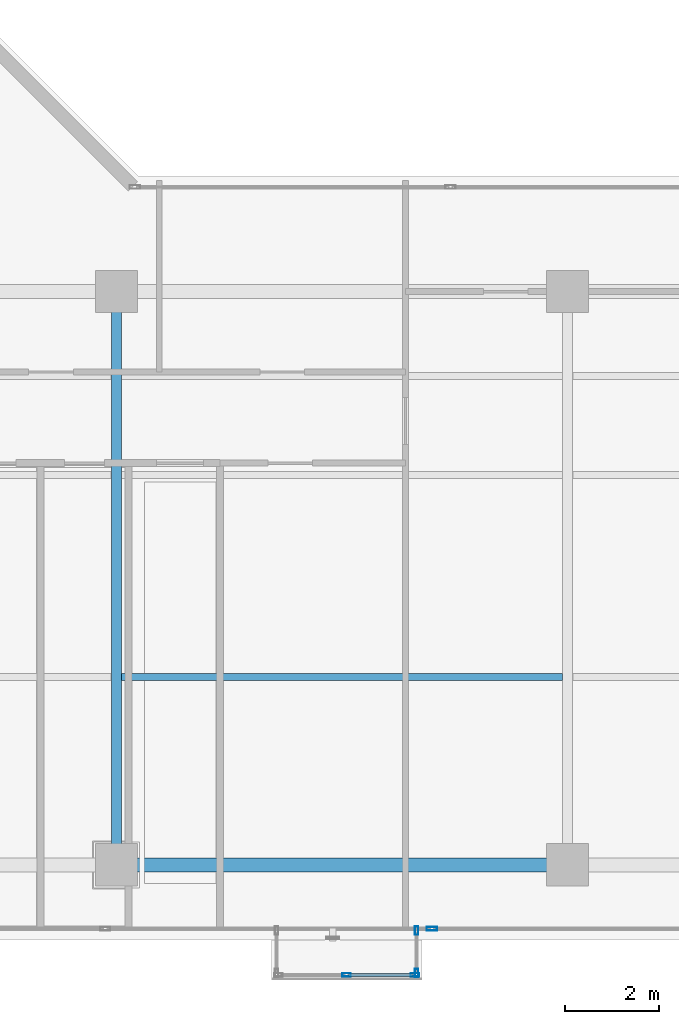
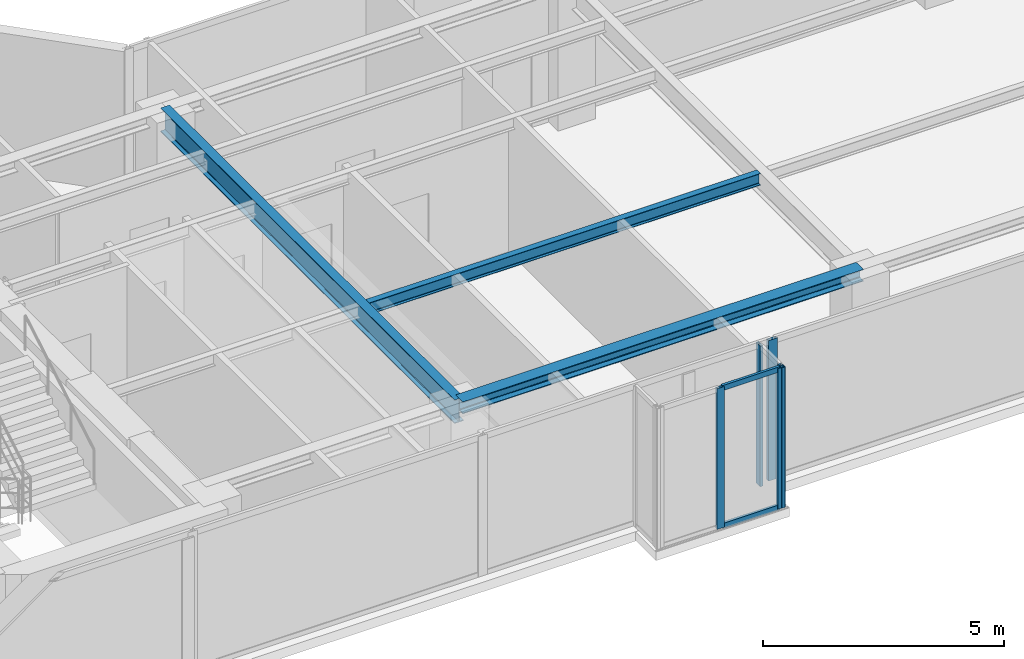
# One storey, part 5 of 22: 7 members, 3 beams, 3 elements without a shape of their own.
"""IFC4 building model written with IfcOpenShell, lengths in metres."""

from ifc_helpers import new_model, si_unit, direction, frame, origin, origin_with_axes, origin_2d, place, context, subcontext, project, spatial, hollow_rectangle, i_section, extrude, source, transform, mapped, material, layer, layer_set, material_profile, profile_set, type_object, element, aggregate, save


model = new_model("IFC4")

# Units and contexts
model_context = context("Model", 3, precision=1e-05, world=origin(), true_north=direction((0.0, 1.0)))
body_context = subcontext(model_context, "Body", "Model", "MODEL_VIEW")
ifc_project = project(units=[si_unit("LENGTHUNIT", "METRE"), si_unit("AREAUNIT", "SQUARE_METRE"), si_unit("VOLUMEUNIT", "CUBIC_METRE"), si_unit("PLANEANGLEUNIT", "RADIAN"), si_unit("MASSUNIT", "GRAM", prefix="KILO")], contexts=[model_context])

# Site, building, storey
site_placement = place(None, origin())
site = spatial("IfcSite", under=ifc_project, at=site_placement, CompositionType="ELEMENT")
building_placement = place(site_placement, origin())
building = spatial("IfcBuilding", under=site, at=building_placement, Name="Kolvaren Waterfront Exchange", CompositionType="ELEMENT")
storey_placement = place(building_placement, frame((0.0, 0.0, 312.199951171875)))
storey = spatial("IfcBuildingStorey", under=building, at=storey_placement, Name="L80", CompositionType="ELEMENT", Elevation=312.199951171875)

# Beams
ifc_material_1 = material(Name="Steel S355", Category="steel")
ifc_material_profile_1 = material_profile(ifc_material_1, i_section(OverallWidth=0.300048828125, OverallDepth=0.300048828125, WebThickness=0.010986328125, FlangeThickness=0.01904296875, FilletRadius=0.027099609375, at=origin_2d()), Name="HEB300")
ifc_profile_set_1 = profile_set([ifc_material_profile_1], Name="Steel S355")
beam_type_1 = type_object("IfcBeamType", Name="STR-BM-HEB300", PredefinedType="SPANDREL", material=ifc_profile_set_1)
beam_1_placement = place(storey_placement, frame((27.199951171875, 5.199951171875, 3.41015625), z_axis=(1.0, 0.0, 0.0), x_axis=(0.0, 1.0, 0.0)))
element("IfcBeam", 1, at=beam_1_placement, inside=storey, type_object=beam_type_1, Name="L80 east-arm spandrel S2", PredefinedType="SPANDREL", context=body_context, shape_type="SweptSolid", body=[
    extrude(i_section(OverallWidth=0.300048828125, OverallDepth=0.300048828125, WebThickness=0.010986328125, FlangeThickness=0.01904296875, FilletRadius=0.027099609375, at=origin_2d()), origin(), (0.0, 0.0, 1.0), 9.60009765625),
])
ifc_material_profile_2 = material_profile(ifc_material_1, i_section(OverallWidth=0.14990234375, OverallDepth=0.300048828125, WebThickness=0.007080078125, FlangeThickness=0.0107421875, FilletRadius=0.014892578125, at=origin_2d()), Name="IPE300")
ifc_profile_set_2 = profile_set([ifc_material_profile_2], Name="Steel S355")
beam_type_2 = type_object("IfcBeamType", Name="STR-BM-IPE300", PredefinedType="JOIST", material=ifc_profile_set_2)
beam_2_placement = place(storey_placement, frame((27.31201171875, 9.199951171875, 3.41015625), z_axis=(1.0, 0.0, 0.0), x_axis=(0.0, 1.0, 0.0)))
element("IfcBeam", 2, at=beam_2_placement, inside=storey, type_object=beam_type_2, Name="L80 east-arm composite joist 2B", PredefinedType="JOIST", context=body_context, shape_type="SweptSolid", body=[
    extrude(i_section(OverallWidth=0.14990234375, OverallDepth=0.300048828125, WebThickness=0.007080078125, FlangeThickness=0.0107421875, FilletRadius=0.014892578125, at=origin_2d()), origin(), (0.0, 0.0, 1.0), 9.3759765625),
])
ifc_material_profile_3 = material_profile(ifc_material_1, i_section(OverallWidth=0.219970703125, OverallDepth=0.60009765625, WebThickness=0.011962890625, FlangeThickness=0.01904296875, FilletRadius=0.02392578125, at=origin_2d()), Name="IPE600")
ifc_profile_set_3 = profile_set([ifc_material_profile_3], Name="Steel S355")
beam_type_3 = type_object("IfcBeamType", Name="STR-BM-IPE600", PredefinedType="BEAM", material=ifc_profile_set_3)
beam_3_placement = place(storey_placement, frame((27.199951171875, 5.199951171875, 3.260009765625), z_axis=(0.0, 1.0, 0.0), x_axis=(-1.0, 0.0, 0.0)))
element("IfcBeam", 3, at=beam_3_placement, inside=storey, type_object=beam_type_3, Name="L80 east-arm transverse girder X27", PredefinedType="BEAM", context=body_context, shape_type="SweptSolid", body=[
    extrude(i_section(OverallWidth=0.219970703125, OverallDepth=0.60009765625, WebThickness=0.011962890625, FlangeThickness=0.01904296875, FilletRadius=0.02392578125, at=origin_2d()), origin(), (0.0, 0.0, 1.0), 12.199951171875),
])

# Curtain wall, members
ifc_material_2 = material(Name="Anodised bronze aluminium 6063-T6", Category="aluminium")
ifc_layer_1 = layer(ifc_material_2, 0.219970703125, Name="Anodised bronze aluminium 6063-T6")
ifc_layer_set_1 = layer_set([ifc_layer_1], Name="Anodised bronze aluminium 6063-T6")
curtain_wall_type_1 = type_object("IfcCurtainWallType", Name="ARC-CW-SYS3", PredefinedType="USERDEFINED", material=ifc_layer_set_1)
curtain_wall_1_placement = place(storey_placement, origin())
curtain_wall_1 = element("IfcCurtainWall", 4, at=curtain_wall_1_placement, inside=storey, type_object=curtain_wall_type_1, Name="L80 stick curtain wall CW3 (CW-L80-BOX)", ObjectType="STICK CURTAIN WALL", PredefinedType="USERDEFINED")
ifc_material_profile_4 = material_profile(ifc_material_2, hollow_rectangle(XDim=0.06494140625, YDim=0.1298828125, WallThickness=0.00390625, at=origin_2d()), Name="ALU-TRN-130x65x4")
ifc_profile_set_4 = profile_set([ifc_material_profile_4], Name="Anodised bronze aluminium 6063-T6")
member_type_1 = type_object("IfcMemberType", Name="ARC-CWT-130", PredefinedType="USERDEFINED", material=ifc_profile_set_4)
shared_shape_1 = source(origin_with_axes(), body_context, "Body", "SweptSolid", [
    extrude(hollow_rectangle(XDim=0.06494140625, YDim=0.1298828125, WallThickness=0.00390625, at=origin_2d()), origin(), (0.0, 0.0, 1.0), 1.37744140625),
])
member_1_placement = place(storey_placement, frame((32.137451171875, 2.860107421875, 0.032470703125), z_axis=(1.0, 0.0, 0.0), x_axis=(0.0, 1.0, 0.0)))
member_1 = element("IfcMember", 5, at=member_1_placement, type_object=member_type_1, Name="CW3 transom 2.1", ObjectType="TRANSOM", PredefinedType="USERDEFINED", context=body_context, shape_type="MappedRepresentation", body=[
    mapped(shared_shape_1, transform((0.0, 0.0, 0.0), x_axis=(1.0, 0.0, 0.0), y_axis=(0.0, 1.0, 0.0), z_axis=(0.0, 0.0, 1.0), scale=1.0)),
])
member_2_placement = place(storey_placement, frame((32.137451171875, 2.860107421875, 3.527587890625), z_axis=(1.0, 0.0, 0.0), x_axis=(0.0, 1.0, 0.0)))
member_2 = element("IfcMember", 6, at=member_2_placement, type_object=member_type_1, Name="CW3 transom 2.2", ObjectType="TRANSOM", PredefinedType="USERDEFINED", context=body_context, shape_type="MappedRepresentation", body=[
    mapped(shared_shape_1, transform((0.0, 0.0, 0.0), x_axis=(1.0, 0.0, 0.0), y_axis=(0.0, 1.0, 0.0), z_axis=(0.0, 0.0, 1.0), scale=1.0)),
])
ifc_material_profile_5 = material_profile(ifc_material_2, hollow_rectangle(XDim=0.074951171875, YDim=0.179931640625, WallThickness=0.00439453125, at=origin_2d()), Name="ALU-MUL-180x75x4.5")
ifc_profile_set_5 = profile_set([ifc_material_profile_5], Name="Anodised bronze aluminium 6063-T6")
member_type_2 = type_object("IfcMemberType", Name="ARC-CWM-180", PredefinedType="MULLION", material=ifc_profile_set_5)
shared_shape_2 = source(origin_with_axes(), body_context, "Body", "SweptSolid", [
    extrude(hollow_rectangle(XDim=0.074951171875, YDim=0.179931640625, WallThickness=0.00439453125, at=origin_2d()), origin(), (0.0, 0.0, 1.0), 3.56005859375),
])
member_3_placement = place(storey_placement, frame((32.10009765625, 2.860107421875, 0.0), z_axis=(0.0, 0.0, 1.0), x_axis=(0.0, 1.0, 0.0)))
member_3 = element("IfcMember", 7, at=member_3_placement, type_object=member_type_2, Name="CW3 mullion 2", PredefinedType="MULLION", context=body_context, shape_type="MappedRepresentation", body=[
    mapped(shared_shape_2, transform((0.0, 0.0, 0.0), x_axis=(1.0, 0.0, 0.0), y_axis=(0.0, 1.0, 0.0), z_axis=(0.0, 0.0, 1.0), scale=1.0)),
])
member_4_placement = place(storey_placement, frame((33.552490234375, 2.860107421875, 0.0), z_axis=(0.0, 0.0, 1.0), x_axis=(0.0, 1.0, 0.0)))
member_4 = element("IfcMember", 8, at=member_4_placement, type_object=member_type_2, Name="CW3 mullion 3", PredefinedType="MULLION", context=body_context, shape_type="MappedRepresentation", body=[
    mapped(shared_shape_2, transform((0.0, 0.0, 0.0), x_axis=(1.0, 0.0, 0.0), y_axis=(0.0, 1.0, 0.0), z_axis=(0.0, 0.0, 1.0), scale=1.0)),
])
aggregate(curtain_wall_1, [member_3, member_4, member_1, member_2])

curtain_wall_2_placement = place(storey_placement, origin())
curtain_wall_2 = element("IfcCurtainWall", 9, at=curtain_wall_2_placement, inside=storey, type_object=curtain_wall_type_1, Name="L80 stick curtain wall CW3 (CW-L80-BOX-E)", ObjectType="STICK CURTAIN WALL", PredefinedType="USERDEFINED")
member_5_placement = place(storey_placement, frame((33.590087890625, 2.8974609375, 0.0), z_axis=(0.0, 0.0, 1.0), x_axis=(-1.0, 0.0, 0.0)))
member_5 = element("IfcMember", 10, at=member_5_placement, type_object=member_type_2, Name="CW3 mullion 1", PredefinedType="MULLION", context=body_context, shape_type="MappedRepresentation", body=[
    mapped(shared_shape_2, transform((0.0, 0.0, 0.0), x_axis=(1.0, 0.0, 0.0), y_axis=(0.0, 1.0, 0.0), z_axis=(0.0, 0.0, 1.0), scale=1.0)),
])
member_6_placement = place(storey_placement, frame((33.590087890625, 3.802490234375, 0.0), z_axis=(0.0, 0.0, 1.0), x_axis=(-1.0, 0.0, 0.0)))
member_6 = element("IfcMember", 11, at=member_6_placement, type_object=member_type_2, Name="CW3 mullion 2", PredefinedType="MULLION", context=body_context, shape_type="MappedRepresentation", body=[
    mapped(shared_shape_2, transform((0.0, 0.0, 0.0), x_axis=(1.0, 0.0, 0.0), y_axis=(0.0, 1.0, 0.0), z_axis=(0.0, 0.0, 1.0), scale=1.0)),
])
aggregate(curtain_wall_2, [member_5, member_6])

# Curtain wall, member
ifc_layer_2 = layer(ifc_material_2, 0.219970703125, Name="Anodised bronze aluminium 6063-T6")
ifc_layer_set_2 = layer_set([ifc_layer_2], Name="Anodised bronze aluminium 6063-T6")
curtain_wall_type_2 = type_object("IfcCurtainWallType", Name="ARC-CW-SYS1", PredefinedType="USERDEFINED", material=ifc_layer_set_2)
curtain_wall_3_placement = place(storey_placement, origin())
curtain_wall_3 = element("IfcCurtainWall", 12, at=curtain_wall_3_placement, inside=storey, type_object=curtain_wall_type_2, Name="L80 stick curtain wall CW1 (CW-L80-S)", ObjectType="STICK CURTAIN WALL", PredefinedType="USERDEFINED")
ifc_material_3 = material(Name="Anodised aluminium 6063-T6", Category="aluminium")
ifc_material_profile_6 = material_profile(ifc_material_3, hollow_rectangle(XDim=0.080078125, YDim=0.219970703125, WallThickness=0.0048828125, at=origin_2d()), Name="ALU-MUL-220x80x5")
ifc_profile_set_6 = profile_set([ifc_material_profile_6], Name="Anodised aluminium 6063-T6")
member_type_3 = type_object("IfcMemberType", Name="ARC-CWM-220", PredefinedType="MULLION", material=ifc_profile_set_6)
shared_shape_3 = source(origin_with_axes(), body_context, "Body", "SweptSolid", [
    extrude(hollow_rectangle(XDim=0.080078125, YDim=0.219970703125, WallThickness=0.0048828125, at=origin_2d()), origin(), (0.0, 0.0, 1.0), 3.56005859375),
])
member_7_placement = place(storey_placement, frame((33.9140625, 3.840087890625, 0.0), z_axis=(0.0, 0.0, 1.0), x_axis=(0.0, 1.0, 0.0)))
member_7 = element("IfcMember", 13, at=member_7_placement, type_object=member_type_3, Name="CW1 mullion 5", PredefinedType="MULLION", context=body_context, shape_type="MappedRepresentation", body=[
    mapped(shared_shape_3, transform((0.0, 0.0, 0.0), x_axis=(1.0, 0.0, 0.0), y_axis=(0.0, 1.0, 0.0), z_axis=(0.0, 0.0, 1.0), scale=1.0)),
])
aggregate(curtain_wall_3, [member_7])

save(model, "model.ifc")
